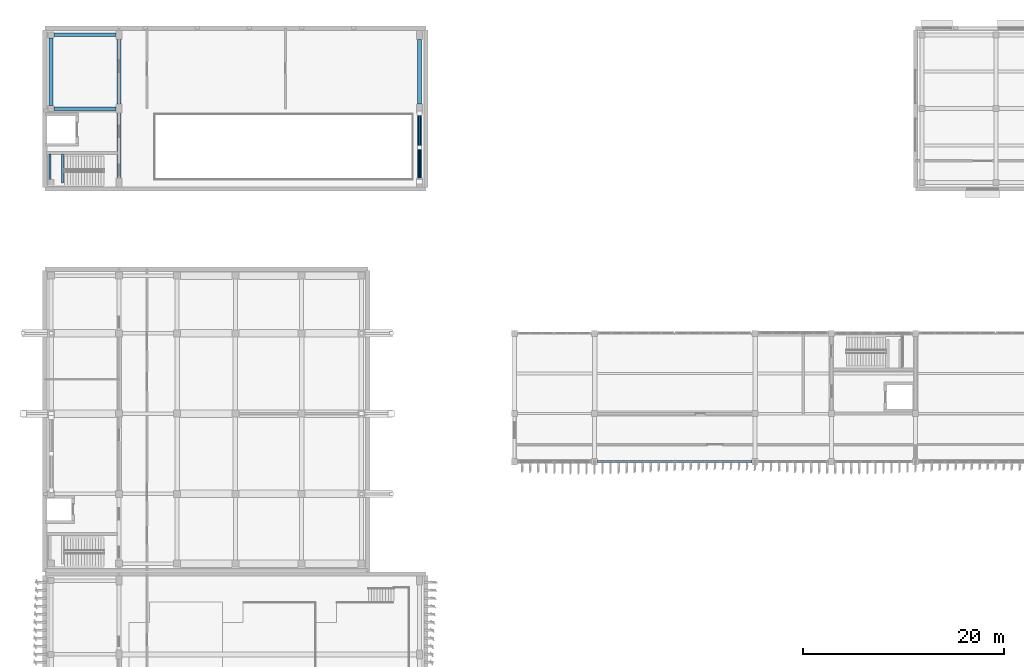
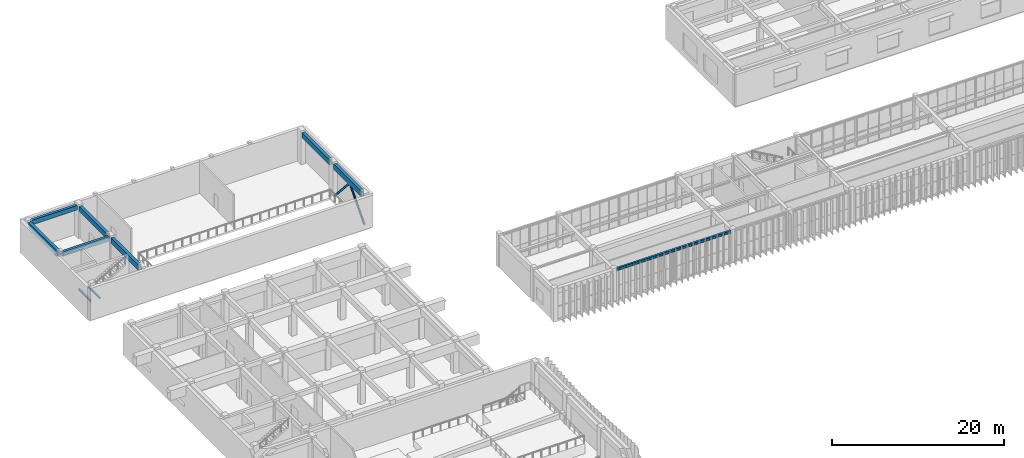
# One storey, part 11 of 64: 10 beams, 2 members.
"""IFC4 building model written with IfcOpenShell, lengths in metres."""

from ifc_helpers import new_model, si_unit, direction, frame, origin, origin_2d, place, context, subcontext, project, spatial, rectangle, hollow_circle, i_section, extrude, material, material_profile, profile_set, type_object, element, save


model = new_model("IFC4")

# Units and contexts
model_context = context("Model", 3, precision=1e-05, world=origin(), true_north=direction((0.0, 1.0)))
body_context = subcontext(model_context, "Body", "Model", "MODEL_VIEW")
ifc_project = project(units=[si_unit("LENGTHUNIT", "METRE"), si_unit("AREAUNIT", "SQUARE_METRE"), si_unit("VOLUMEUNIT", "CUBIC_METRE"), si_unit("PLANEANGLEUNIT", "RADIAN"), si_unit("MASSUNIT", "GRAM", prefix="KILO")], contexts=[model_context])

# Site, building, storey
site_placement = place(None, origin())
site = spatial("IfcSite", under=ifc_project, at=site_placement, CompositionType="ELEMENT")
building_placement = place(site_placement, origin())
building = spatial("IfcBuilding", under=site, at=building_placement, Name="Cinchona Park Media Centre", CompositionType="ELEMENT")
storey_placement = place(building_placement, frame((0.0, 0.0, 5.39990234375)))
storey = spatial("IfcBuildingStorey", under=building, at=storey_placement, Name="L01", CompositionType="ELEMENT", Elevation=5.39990234375)

# Beams
ifc_material_1 = material(Name="Concrete C35/45", Category="concrete")
ifc_material_profile_1 = material_profile(ifc_material_1, rectangle(XDim=0.39990234375, YDim=0.75, at=origin_2d()), Name="RB 400X750")
ifc_profile_set_1 = profile_set([ifc_material_profile_1], Name="Concrete C35/45")
beam_type_1 = type_object("IfcBeamType", Name="BEAM-B01-RB400X750", PredefinedType="BEAM", material=ifc_profile_set_1)
beam_1_placement = place(storey_placement, frame((8.639892578125, 110.300048828125, 4.1650390625), z_axis=(0.0, 1.0, 0.0), x_axis=(-1.0, 0.0, 0.0)))
element("IfcBeam", 1, at=beam_1_placement, inside=storey, type_object=beam_type_1, Name="Girder B01 L01", PredefinedType="BEAM", context=body_context, shape_type="SweptSolid", body=[
    extrude(rectangle(XDim=0.39990234375, YDim=0.75, at=origin_2d()), origin(), (0.0, 0.0, 1.0), 6.760009765625),
])
for number, where, z_axis, x_axis, name in (
    (2, (15.39990234375, 103.090087890625, 4.1650390625), (0.0, 1.0, 0.0), (-1.0, 0.0, 0.0), "Girder B01 L01"),
    (3, (15.39990234375, 110.449951171875, 4.1650390625), (0.0, 1.0, 0.0), (-1.0, 0.0, 0.0), "Girder B01 L01"),
    (4, (45.360107421875, 103.090087890625, 4.1650390625), (0.0, 1.0, 0.0), (-1.0, 0.0, 0.0), "Girder B01 L01"),
    (5, (45.360107421875, 110.449951171875, 4.1650390625), (0.0, 1.0, 0.0), (-1.0, 0.0, 0.0), "Girder B01 L01"),
):
    element("IfcBeam", number, at=place(storey_placement, frame(where, z_axis=z_axis, x_axis=x_axis)), inside=storey, type_object=beam_type_1, Name=name, PredefinedType="BEAM", context=body_context, shape_type="SweptSolid", body=[
        extrude(rectangle(XDim=0.39990234375, YDim=0.75, at=origin_2d()), origin(), (0.0, 0.0, 1.0), 6.4599609375),
    ])
ifc_material_2 = material(Name="Concrete C35/45", Category="concrete")
ifc_material_profile_2 = material_profile(ifc_material_2, rectangle(XDim=0.35009765625, YDim=0.64990234375, at=origin_2d()), Name="RB 350X650")
ifc_profile_set_2 = profile_set([ifc_material_profile_2], Name="Concrete C35/45")
beam_type_2 = type_object("IfcBeamType", Name="BEAM-B04-RB350X650", PredefinedType="BEAM", material=ifc_profile_set_2)
for number, where, z_axis, x_axis, name in (
    (6, (8.93994140625, 110.0, 4.215087890625), (1.0, 0.0, 0.0), (0.0, 1.0, 0.0), "Beam B04 L01"),
    (7, (8.93994140625, 117.360107421875, 4.215087890625), (1.0, 0.0, 0.0), (0.0, 1.0, 0.0), "Beam B04 L01"),
):
    element("IfcBeam", number, at=place(storey_placement, frame(where, z_axis=z_axis, x_axis=x_axis)), inside=storey, type_object=beam_type_2, Name=name, PredefinedType="BEAM", context=body_context, shape_type="SweptSolid", body=[
        extrude(rectangle(XDim=0.35009765625, YDim=0.64990234375, at=origin_2d()), origin(), (0.0, 0.0, 1.0), 6.16015625),
    ])
ifc_material_3 = material(Name="Steel S355", Category="steel")
ifc_material_profile_3 = material_profile(ifc_material_3, i_section(OverallWidth=0.257080078125, OverallDepth=0.363037109375, WebThickness=0.012939453125, FlangeThickness=0.021728515625, at=origin_2d()), Name="W360X122")
ifc_profile_set_3 = profile_set([ifc_material_profile_3], Name="Steel S355")
beam_type_3 = type_object("IfcBeamType", Name="BEAM-B08-W360X122", PredefinedType="BEAM", material=ifc_profile_set_3)
beam_2_placement = place(storey_placement, frame((63.10009765625, 74.800048828125, 4.358642578125), z_axis=(1.0, 0.0, 0.0), x_axis=(0.0, 1.0, 0.0)))
element("IfcBeam", 8, at=beam_2_placement, inside=storey, type_object=beam_type_3, Name="Beam B08 L01", PredefinedType="BEAM", context=body_context, shape_type="SweptSolid", body=[
    extrude(i_section(OverallWidth=0.257080078125, OverallDepth=0.363037109375, WebThickness=0.012939453125, FlangeThickness=0.021728515625, at=origin_2d()), origin(), (0.0, 0.0, 1.0), 15.39990234375),
])
ifc_material_4 = material(Name="Steel S355", Category="steel")
ifc_material_profile_4 = material_profile(ifc_material_4, i_section(OverallWidth=0.202880859375, OverallDepth=0.202880859375, WebThickness=0.007080078125, FlangeThickness=0.010986328125, at=origin_2d()), Name="W200X46")
ifc_profile_set_4 = profile_set([ifc_material_profile_4], Name="Steel S355")
beam_type_4 = type_object("IfcBeamType", Name="BEAM-B10-W200X46", PredefinedType="BEAM", material=ifc_profile_set_4)
for number, where, z_axis, x_axis, name in (
    (9, (8.5400390625, 105.469970703125, 2.093505859375), (0.0, -1.0, 0.0), (1.0, 0.0, 0.0), "Stair Landing Bearer Beam B10 ST4 L01"),
    (10, (9.760009765625, 105.469970703125, 2.093505859375), (0.0, -1.0, 0.0), (1.0, 0.0, 0.0), "Stair Landing Bearer Beam B10 ST4 L01"),
):
    element("IfcBeam", number, at=place(storey_placement, frame(where, z_axis=z_axis, x_axis=x_axis)), inside=storey, type_object=beam_type_4, Name=name, PredefinedType="BEAM", context=body_context, shape_type="SweptSolid", body=[
        extrude(i_section(OverallWidth=0.202880859375, OverallDepth=0.202880859375, WebThickness=0.007080078125, FlangeThickness=0.010986328125, at=origin_2d()), origin(), (0.0, 0.0, 1.0), 2.869873046875),
    ])

# Members
ifc_material_5 = material(Name="Steel S355", Category="steel")
ifc_material_profile_5 = material_profile(ifc_material_5, hollow_circle(Radius=0.136474609375, WallThickness=0.01611328125, at=origin_2d()), Name="273X16CHS")
ifc_profile_set_5 = profile_set([ifc_material_profile_5], Name="Steel S355")
member_type = type_object("IfcMemberType", Name="MEMBER-BR01-CHS273X16", PredefinedType="BRACE", material=ifc_profile_set_5)
member_1_placement = place(storey_placement, frame((45.360107421875, 102.695068359375, 0.005126953125), z_axis=(0.0, 0.666121442371, 0.745843297224), x_axis=(-1.0, 0.0, 0.0)))
element("IfcMember", 11, at=member_1_placement, inside=storey, type_object=member_type, Name="Vertical Chevron Brace BR01 L01", PredefinedType="BRACE", context=body_context, shape_type="SweptSolid", body=[
    extrude(hollow_circle(Radius=0.136474609375, WallThickness=0.01611328125, at=origin_2d()), origin(), (0.0, 0.0, 1.0), 5.141845703125),
])
member_2_placement = place(storey_placement, frame((45.360107421875, 109.544921875, 0.005126953125), z_axis=(0.0, -0.666095027865, 0.74586688749), x_axis=(1.0, 0.0, 0.0)))
element("IfcMember", 12, at=member_2_placement, inside=storey, type_object=member_type, Name="Vertical Chevron Brace BR01 L01", PredefinedType="BRACE", context=body_context, shape_type="SweptSolid", body=[
    extrude(hollow_circle(Radius=0.136474609375, WallThickness=0.01611328125, at=origin_2d()), origin(), (0.0, 0.0, 1.0), 5.1416015625),
])

save(model, "model.ifc")
